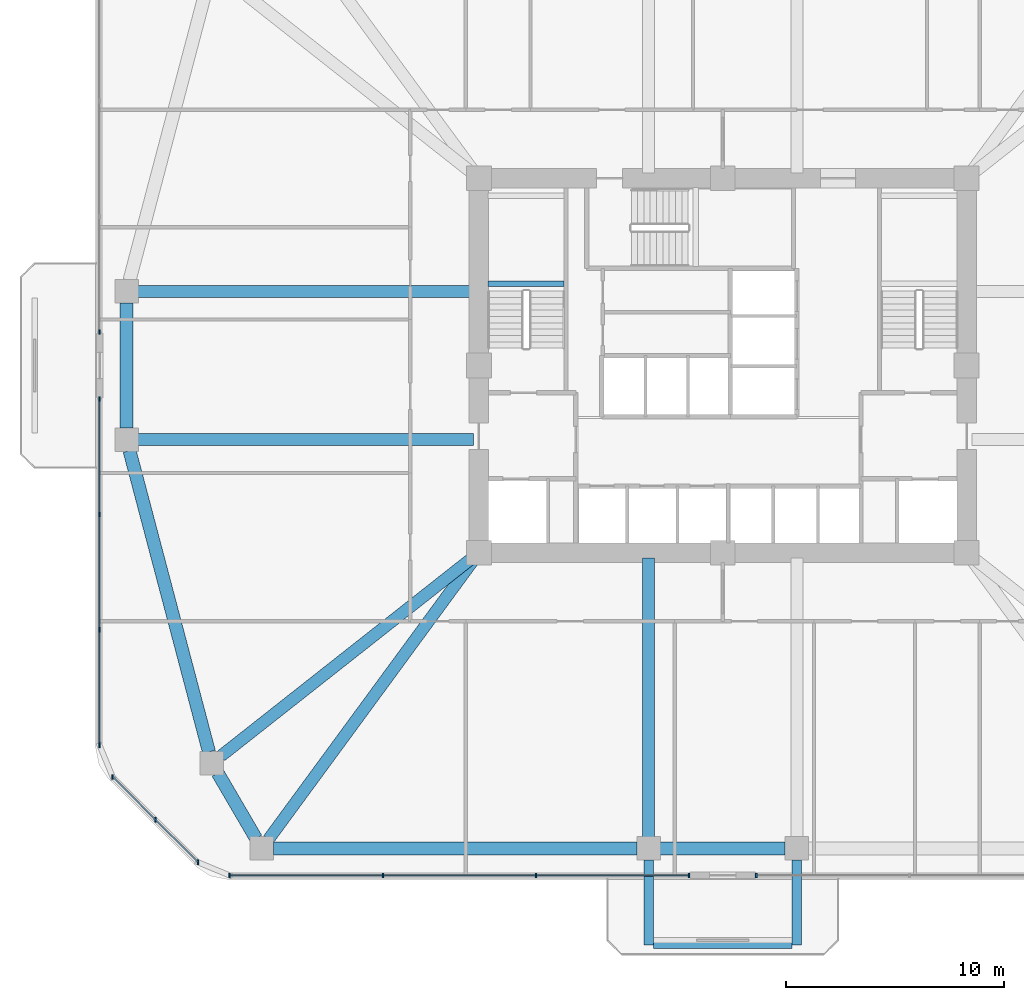
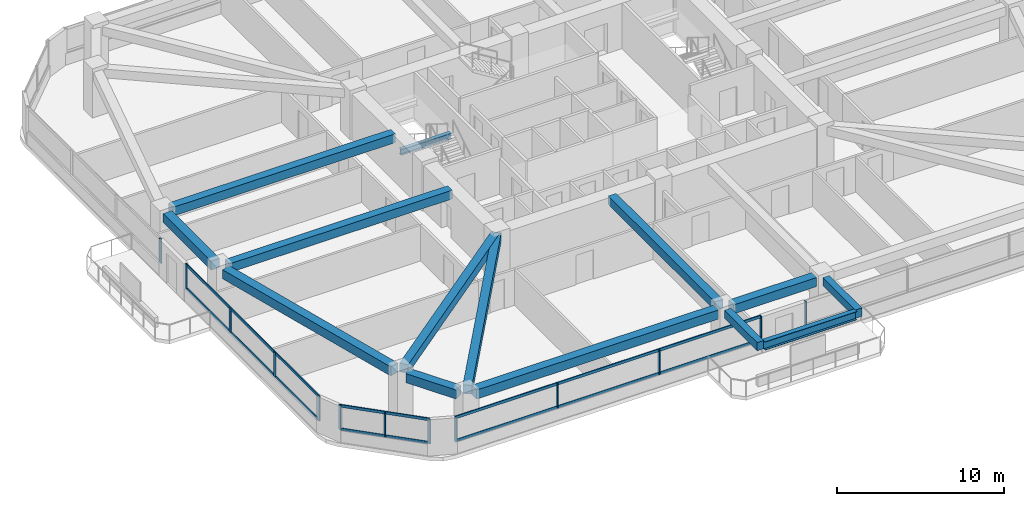
# One storey, part 2 of 14: 19 members, 14 beams, 5 elements without a shape of their own.
"""IFC4 building model written with IfcOpenShell, lengths in metres."""

from ifc_helpers import new_model, si_unit, derived_unit, direction, frame, origin, origin_2d, place, context, subcontext, project, spatial, rectangle, i_section, extrude, material, material_profile, profile_set, type_object, element, aggregate, save


model = new_model("IFC4")

# Units and contexts
model_context = context("Model", 3, precision=1e-05, world=origin(), true_north=direction((0.0, 1.0)))
body_context = subcontext(model_context, "Body", "Model", "MODEL_VIEW")
ifc_project = project(units=[si_unit("LENGTHUNIT", "METRE"), si_unit("AREAUNIT", "SQUARE_METRE"), si_unit("VOLUMEUNIT", "CUBIC_METRE"), si_unit("PLANEANGLEUNIT", "RADIAN"), si_unit("MASSUNIT", "GRAM", prefix="KILO"), derived_unit("THERMALTRANSMITTANCEUNIT", [(si_unit("POWERUNIT", "WATT"), 1), (si_unit("LENGTHUNIT", "METRE"), -2), (si_unit("THERMODYNAMICTEMPERATUREUNIT", "KELVIN"), -1)])], contexts=[model_context])

# Site, building, storey
site_placement = place(None, origin())
site = spatial("IfcSite", under=ifc_project, at=site_placement, CompositionType="ELEMENT")
building_placement = place(site_placement, origin())
building = spatial("IfcBuilding", under=site, at=building_placement, Name="Koralith Skygarden Medical Center", CompositionType="ELEMENT")
storey_placement = place(building_placement, frame((0.0, 0.0, 34.739990234375)))
storey = spatial("IfcBuildingStorey", under=building, at=storey_placement, Name="L08", CompositionType="ELEMENT", Elevation=34.739990234375)

# Curtain wall, members
ifc_material_1 = material(Name="Clear Laminated Glass", Category="glass")
curtain_wall_type = type_object("IfcCurtainWallType", Name="CW-2 Zone 1 Hurricane Unitised Curtain Wall", PredefinedType="NOTDEFINED", material=ifc_material_1)
curtain_wall_1_placement = place(storey_placement, origin())
curtain_wall_1 = element("IfcCurtainWall", 1, at=curtain_wall_1_placement, inside=storey, type_object=curtain_wall_type, Name="Curtain Wall CW-L08-S-L", PredefinedType="NOTDEFINED")
ifc_material_2 = material(Name="Aluminium 6063-T6", Category="aluminium")
ifc_material_profile_1 = material_profile(ifc_material_2, rectangle(XDim=0.071044921875, YDim=0.219970703125, at=origin_2d()), Name="MUL71X220")
ifc_profile_set_1 = profile_set([ifc_material_profile_1], Name="Aluminium 6063-T6")
member_type_1 = type_object("IfcMemberType", Name="CW-2 Extruded Mullion 71x220", PredefinedType="MULLION", material=ifc_profile_set_1)
member_1_placement = place(storey_placement, frame((14.35498046875, 2.47998046875, 0.85009765625), z_axis=(0.0, 0.0, 1.0), x_axis=(1.0, 0.0, 0.0)))
member_1 = element("IfcMember", 2, at=member_1_placement, type_object=member_type_1, Name="CW-L08-S-L Mullion 1", PredefinedType="MULLION", context=body_context, shape_type="SweptSolid", body=[
    extrude(rectangle(XDim=0.071044921875, YDim=0.219970703125, at=origin_2d()), origin(), (0.0, 0.0, 1.0), 1.7998046875),
])
member_2_placement = place(storey_placement, frame((21.389892578125, 2.47998046875, 0.85009765625), z_axis=(0.0, 0.0, 1.0), x_axis=(1.0, 0.0, 0.0)))
member_2 = element("IfcMember", 3, at=member_2_placement, type_object=member_type_1, Name="CW-L08-S-L Mullion 2", PredefinedType="MULLION", context=body_context, shape_type="SweptSolid", body=[
    extrude(rectangle(XDim=0.071044921875, YDim=0.219970703125, at=origin_2d()), origin(), (0.0, 0.0, 1.0), 1.7998046875),
])
member_3_placement = place(storey_placement, frame((28.425048828125, 2.47998046875, 0.85009765625), z_axis=(0.0, 0.0, 1.0), x_axis=(1.0, 0.0, 0.0)))
member_3 = element("IfcMember", 4, at=member_3_placement, type_object=member_type_1, Name="CW-L08-S-L Mullion 3", PredefinedType="MULLION", context=body_context, shape_type="SweptSolid", body=[
    extrude(rectangle(XDim=0.071044921875, YDim=0.219970703125, at=origin_2d()), origin(), (0.0, 0.0, 1.0), 1.7998046875),
])
member_4_placement = place(storey_placement, frame((35.4599609375, 2.47998046875, 0.85009765625), z_axis=(0.0, 0.0, 1.0), x_axis=(1.0, 0.0, 0.0)))
member_4 = element("IfcMember", 5, at=member_4_placement, type_object=member_type_1, Name="CW-L08-S-L Mullion 4", PredefinedType="MULLION", context=body_context, shape_type="SweptSolid", body=[
    extrude(rectangle(XDim=0.071044921875, YDim=0.219970703125, at=origin_2d()), origin(), (0.0, 0.0, 1.0), 1.7998046875),
])

# Curtain wall, member
curtain_wall_2_placement = place(storey_placement, origin())
curtain_wall_2 = element("IfcCurtainWall", 6, at=curtain_wall_2_placement, inside=storey, type_object=curtain_wall_type, Name="Curtain Wall CW-L08-S-R", PredefinedType="NOTDEFINED")
member_5_placement = place(storey_placement, frame((38.5400390625, 2.47998046875, 0.85009765625), z_axis=(0.0, 0.0, 1.0), x_axis=(1.0, 0.0, 0.0)))
member_5 = element("IfcMember", 7, at=member_5_placement, type_object=member_type_1, Name="CW-L08-S-R Mullion 1", PredefinedType="MULLION", context=body_context, shape_type="SweptSolid", body=[
    extrude(rectangle(XDim=0.071044921875, YDim=0.219970703125, at=origin_2d()), origin(), (0.0, 0.0, 1.0), 1.7998046875),
])
aggregate(curtain_wall_2, [member_5])

curtain_wall_3_placement = place(storey_placement, origin())
curtain_wall_3 = element("IfcCurtainWall", 8, at=curtain_wall_3_placement, inside=storey, type_object=curtain_wall_type, Name="Curtain Wall CW-L08-W-L", PredefinedType="NOTDEFINED")
member_6_placement = place(storey_placement, frame((8.3798828125, 27.43994140625, 0.85009765625), z_axis=(0.0, 0.0, 1.0), x_axis=(1.0, 0.0, 0.0)))
member_6 = element("IfcMember", 9, at=member_6_placement, type_object=member_type_1, Name="CW-L08-W-L Mullion 4", PredefinedType="MULLION", context=body_context, shape_type="SweptSolid", body=[
    extrude(rectangle(XDim=0.071044921875, YDim=0.219970703125, at=origin_2d()), origin(), (0.0, 0.0, 1.0), 1.7998046875),
])
aggregate(curtain_wall_3, [member_6])

# Curtain wall, members
curtain_wall_4_placement = place(storey_placement, origin())
curtain_wall_4 = element("IfcCurtainWall", 10, at=curtain_wall_4_placement, inside=storey, type_object=curtain_wall_type, Name="Curtain Wall CW-L08-W-R", PredefinedType="NOTDEFINED")
member_7_placement = place(storey_placement, frame((8.3798828125, 24.360107421875, 0.85009765625), z_axis=(0.0, 0.0, 1.0), x_axis=(1.0, 0.0, 0.0)))
member_7 = element("IfcMember", 11, at=member_7_placement, type_object=member_type_1, Name="CW-L08-W-R Mullion 1", PredefinedType="MULLION", context=body_context, shape_type="SweptSolid", body=[
    extrude(rectangle(XDim=0.071044921875, YDim=0.219970703125, at=origin_2d()), origin(), (0.0, 0.0, 1.0), 1.7998046875),
])
member_8_placement = place(storey_placement, frame((8.3798828125, 19.05810546875, 0.85009765625), z_axis=(0.0, 0.0, 1.0), x_axis=(1.0, 0.0, 0.0)))
member_8 = element("IfcMember", 12, at=member_8_placement, type_object=member_type_1, Name="CW-L08-W-R Mullion 2", PredefinedType="MULLION", context=body_context, shape_type="SweptSolid", body=[
    extrude(rectangle(XDim=0.071044921875, YDim=0.219970703125, at=origin_2d()), origin(), (0.0, 0.0, 1.0), 1.7998046875),
])
member_9_placement = place(storey_placement, frame((8.3798828125, 13.757080078125, 0.85009765625), z_axis=(0.0, 0.0, 1.0), x_axis=(1.0, 0.0, 0.0)))
member_9 = element("IfcMember", 13, at=member_9_placement, type_object=member_type_1, Name="CW-L08-W-R Mullion 3", PredefinedType="MULLION", context=body_context, shape_type="SweptSolid", body=[
    extrude(rectangle(XDim=0.071044921875, YDim=0.219970703125, at=origin_2d()), origin(), (0.0, 0.0, 1.0), 1.7998046875),
])
member_10_placement = place(storey_placement, frame((8.3798828125, 8.455078125, 0.85009765625), z_axis=(0.0, 0.0, 1.0), x_axis=(1.0, 0.0, 0.0)))
member_10 = element("IfcMember", 14, at=member_10_placement, type_object=member_type_1, Name="CW-L08-W-R Mullion 4", PredefinedType="MULLION", context=body_context, shape_type="SweptSolid", body=[
    extrude(rectangle(XDim=0.071044921875, YDim=0.219970703125, at=origin_2d()), origin(), (0.0, 0.0, 1.0), 1.7998046875),
])

curtain_wall_5_placement = place(storey_placement, origin())
curtain_wall_5 = element("IfcCurtainWall", 15, at=curtain_wall_5_placement, inside=storey, type_object=curtain_wall_type, Name="Curtain Wall CW-L08-SW", PredefinedType="NOTDEFINED")
member_11_placement = place(storey_placement, frame((8.98095703125, 7.00390625, 0.85009765625), z_axis=(0.0, 0.0, 1.0), x_axis=(1.0, 0.0, 0.0)))
member_11 = element("IfcMember", 16, at=member_11_placement, type_object=member_type_1, Name="CW-L08-SW Mullion 1", PredefinedType="MULLION", context=body_context, shape_type="SweptSolid", body=[
    extrude(rectangle(XDim=0.071044921875, YDim=0.219970703125, at=origin_2d()), origin(), (0.0, 0.0, 1.0), 1.7998046875),
])
member_12_placement = place(storey_placement, frame((10.94189453125, 5.04296875, 0.85009765625), z_axis=(0.0, 0.0, 1.0), x_axis=(1.0, 0.0, 0.0)))
member_12 = element("IfcMember", 17, at=member_12_placement, type_object=member_type_1, Name="CW-L08-SW Mullion 2", PredefinedType="MULLION", context=body_context, shape_type="SweptSolid", body=[
    extrude(rectangle(XDim=0.071044921875, YDim=0.219970703125, at=origin_2d()), origin(), (0.0, 0.0, 1.0), 1.7998046875),
])
member_13_placement = place(storey_placement, frame((12.904052734375, 3.0810546875, 0.85009765625), z_axis=(0.0, 0.0, 1.0), x_axis=(1.0, 0.0, 0.0)))
member_13 = element("IfcMember", 18, at=member_13_placement, type_object=member_type_1, Name="CW-L08-SW Mullion 3", PredefinedType="MULLION", context=body_context, shape_type="SweptSolid", body=[
    extrude(rectangle(XDim=0.071044921875, YDim=0.219970703125, at=origin_2d()), origin(), (0.0, 0.0, 1.0), 1.7998046875),
])

# Member
ifc_material_profile_2 = material_profile(ifc_material_2, rectangle(XDim=0.06591796875, YDim=0.197998046875, at=origin_2d()), Name="TRN66X198")
ifc_profile_set_2 = profile_set([ifc_material_profile_2], Name="Aluminium 6063-T6")
member_type_2 = type_object("IfcMemberType", Name="CW-2 Thermal Transom 66x198", PredefinedType="USERDEFINED", material=ifc_profile_set_2)
member_14_placement = place(storey_placement, frame((14.35498046875, 2.47998046875, 0.89990234375), z_axis=(1.0, 0.0, 0.0), x_axis=(0.0, 1.0, 0.0)))
member_14 = element("IfcMember", 19, at=member_14_placement, type_object=member_type_2, Name="CW-L08-S-L Transom 1", ObjectType="TRANSOM", PredefinedType="USERDEFINED", context=body_context, shape_type="SweptSolid", body=[
    extrude(rectangle(XDim=0.06591796875, YDim=0.197998046875, at=origin_2d()), origin(), (0.0, 0.0, 1.0), 21.10498046875),
])

member_15_placement = place(storey_placement, frame((14.35498046875, 2.47998046875, 2.60009765625), z_axis=(1.0, 0.0, 0.0), x_axis=(0.0, 1.0, 0.0)))
member_15 = element("IfcMember", 20, at=member_15_placement, type_object=member_type_2, Name="CW-L08-S-L Transom 2", ObjectType="TRANSOM", PredefinedType="USERDEFINED", context=body_context, shape_type="SweptSolid", body=[
    extrude(rectangle(XDim=0.06591796875, YDim=0.197998046875, at=origin_2d()), origin(), (0.0, 0.0, 1.0), 21.10498046875),
])

aggregate(curtain_wall_1, [member_1, member_2, member_3, member_4, member_14, member_15])

member_16_placement = place(storey_placement, frame((8.3798828125, 24.360107421875, 0.89990234375), z_axis=(0.0, -1.0, 0.0), x_axis=(1.0, 0.0, 0.0)))
member_16 = element("IfcMember", 21, at=member_16_placement, type_object=member_type_2, Name="CW-L08-W-R Transom 1", ObjectType="TRANSOM", PredefinedType="USERDEFINED", context=body_context, shape_type="SweptSolid", body=[
    extrude(rectangle(XDim=0.06591796875, YDim=0.197998046875, at=origin_2d()), origin(), (0.0, 0.0, 1.0), 15.905029296875),
])

member_17_placement = place(storey_placement, frame((8.3798828125, 24.360107421875, 2.60009765625), z_axis=(0.0, -1.0, 0.0), x_axis=(1.0, 0.0, 0.0)))
member_17 = element("IfcMember", 22, at=member_17_placement, type_object=member_type_2, Name="CW-L08-W-R Transom 2", ObjectType="TRANSOM", PredefinedType="USERDEFINED", context=body_context, shape_type="SweptSolid", body=[
    extrude(rectangle(XDim=0.06591796875, YDim=0.197998046875, at=origin_2d()), origin(), (0.0, 0.0, 1.0), 15.905029296875),
])

aggregate(curtain_wall_4, [member_7, member_8, member_9, member_10, member_16, member_17])

member_18_placement = place(storey_placement, frame((8.98095703125, 7.00390625, 0.89990234375), z_axis=(0.707128783731, -0.707084777957, 0.0), x_axis=(0.707084777957, 0.707128783731, 0.0)))
member_18 = element("IfcMember", 23, at=member_18_placement, type_object=member_type_2, Name="CW-L08-SW Transom 1", ObjectType="TRANSOM", PredefinedType="USERDEFINED", context=body_context, shape_type="SweptSolid", body=[
    extrude(rectangle(XDim=0.06591796875, YDim=0.197998046875, at=origin_2d()), origin(), (0.0, 0.0, 1.0), 5.5478515625),
])

member_19_placement = place(storey_placement, frame((8.98095703125, 7.00390625, 2.60009765625), z_axis=(0.707128783731, -0.707084777957, 0.0), x_axis=(0.707084777957, 0.707128783731, 0.0)))
member_19 = element("IfcMember", 24, at=member_19_placement, type_object=member_type_2, Name="CW-L08-SW Transom 2", ObjectType="TRANSOM", PredefinedType="USERDEFINED", context=body_context, shape_type="SweptSolid", body=[
    extrude(rectangle(XDim=0.06591796875, YDim=0.197998046875, at=origin_2d()), origin(), (0.0, 0.0, 1.0), 5.5478515625),
])

aggregate(curtain_wall_5, [member_11, member_12, member_13, member_18, member_19])

# Beams
ifc_material_3 = material(Name="Steel ASTM A992 Grade 50", Category="steel")
ifc_material_profile_3 = material_profile(ifc_material_3, i_section(OverallWidth=0.326904296875, OverallDepth=0.6220703125, WebThickness=0.015380859375, FlangeThickness=0.0244140625, at=origin_2d()), Name="W24X131")
ifc_profile_set_3 = profile_set([ifc_material_profile_3], Name="Steel ASTM A992 Grade 50")
beam_type_1 = type_object("IfcBeamType", Name="Cantilever Tie Beam W24X131", PredefinedType="BEAM", material=ifc_profile_set_3)
beam_1_placement = place(storey_placement, frame((33.820068359375, -0.719970703125, 3.029052734375), z_axis=(1.0, 0.0, 0.0), x_axis=(0.0, 1.0, 0.0)))
element("IfcBeam", 25, at=beam_1_placement, inside=storey, type_object=beam_type_1, Name="L09 S Balcony Tip Tie Beam", PredefinedType="BEAM", context=body_context, shape_type="SweptSolid", body=[
    extrude(i_section(OverallWidth=0.326904296875, OverallDepth=0.6220703125, WebThickness=0.015380859375, FlangeThickness=0.0244140625, at=origin_2d()), origin(), (0.0, 0.0, 1.0), 6.35986328125),
])
ifc_material_profile_4 = material_profile(ifc_material_3, i_section(OverallWidth=0.260009765625, OverallDepth=0.4150390625, WebThickness=0.010009765625, FlangeThickness=0.016845703125, at=origin_2d()), Name="W16X67")
ifc_profile_set_4 = profile_set([ifc_material_profile_4], Name="Steel ASTM A992 Grade 50")
beam_type_2 = type_object("IfcBeamType", Name="Clinical Floor Joist W16X67", PredefinedType="JOIST", material=ifc_profile_set_4)
beam_2_placement = place(storey_placement, frame((26.22998046875, 29.659912109375, 1.39208984375), z_axis=(1.0, 0.0, 0.0), x_axis=(0.0, 1.0, 0.0)))
element("IfcBeam", 26, at=beam_2_placement, inside=storey, type_object=beam_type_2, Name="L08 Stair ST1 Half-Landing Support Beam 1A", PredefinedType="JOIST", context=body_context, shape_type="SweptSolid", body=[
    extrude(i_section(OverallWidth=0.260009765625, OverallDepth=0.4150390625, WebThickness=0.010009765625, FlangeThickness=0.016845703125, at=origin_2d()), origin(), (0.0, 0.0, 1.0), 3.489990234375),
])
ifc_material_4 = material(Name="Concrete C45/55", Category="concrete")
ifc_material_profile_5 = material_profile(ifc_material_4, rectangle(XDim=0.449951171875, YDim=0.60009765625, at=origin_2d()), Name="RCB450X600")
ifc_profile_set_5 = profile_set([ifc_material_profile_5], Name="Concrete C45/55")
beam_type_3 = type_object("IfcBeamType", Name="Planted Balcony Cantilever Beam RCB450X600", PredefinedType="BEAM", material=ifc_profile_set_5)
for number, where, z_axis, x_axis, name in (
    (27, (33.60009765625, 3.199951171875, 3.0400390625), (0.0, -1.0, 0.0), (1.0, 0.0, 0.0), "L09 S Balcony Cantilever Beam A"),
    (28, (40.39990234375, 3.199951171875, 3.0400390625), (0.0, -1.0, 0.0), (1.0, 0.0, 0.0), "L09 S Balcony Cantilever Beam B"),
):
    element("IfcBeam", number, at=place(storey_placement, frame(where, z_axis=z_axis, x_axis=x_axis)), inside=storey, type_object=beam_type_3, Name=name, PredefinedType="BEAM", context=body_context, shape_type="SweptSolid", body=[
        extrude(rectangle(XDim=0.449951171875, YDim=0.60009765625, at=origin_2d()), origin(), (0.0, 0.0, 1.0), 3.919921875),
    ])
ifc_material_profile_6 = material_profile(ifc_material_4, rectangle(XDim=0.550048828125, YDim=0.639892578125, at=origin_2d()), Name="RCB550X640")
ifc_profile_set_6 = profile_set([ifc_material_profile_6], Name="Concrete C45/55")
beam_type_4 = type_object("IfcBeamType", Name="Radial Collector Beam RCB550X640", PredefinedType="BEAM", material=ifc_profile_set_6)
beam_3_placement = place(storey_placement, frame((25.550048828125, 22.5, 3.0), z_axis=(-1.0, 0.0, 0.0), x_axis=(0.0, -1.0, 0.0)))
element("IfcBeam", 29, at=beam_3_placement, inside=storey, type_object=beam_type_4, Name="L08 Radial Collector Beam RB-01", PredefinedType="BEAM", context=body_context, shape_type="SweptSolid", body=[
    extrude(rectangle(XDim=0.550048828125, YDim=0.639892578125, at=origin_2d()), origin(), (0.0, 0.0, 1.0), 15.400146484375),
])
beam_4_placement = place(storey_placement, frame((25.60400390625, 17.14501953125, 3.0), z_axis=(-0.785497250365, -0.618865146594, 0.0), x_axis=(0.618865146594, -0.785497250365, 0.0)))
element("IfcBeam", 30, at=beam_4_placement, inside=storey, type_object=beam_type_4, Name="L08 Radial Collector Beam RB-02", PredefinedType="BEAM", context=body_context, shape_type="SweptSolid", body=[
    extrude(rectangle(XDim=0.550048828125, YDim=0.639892578125, at=origin_2d()), origin(), (0.0, 0.0, 1.0), 14.828857421875),
])
beam_5_placement = place(storey_placement, frame((25.652099609375, 17.097900390625, 3.0), z_axis=(-0.591718052249, -0.806144991079, 0.0), x_axis=(0.806144991079, -0.591718052249, 0.0)))
element("IfcBeam", 31, at=beam_5_placement, inside=storey, type_object=beam_type_4, Name="L08 Radial Collector Beam RB-03", PredefinedType="BEAM", context=body_context, shape_type="SweptSolid", body=[
    extrude(rectangle(XDim=0.550048828125, YDim=0.639892578125, at=origin_2d()), origin(), (0.0, 0.0, 1.0), 16.065185546875),
])
beam_6_placement = place(storey_placement, frame((33.60009765625, 17.050048828125, 3.0), z_axis=(0.0, -1.0, 0.0), x_axis=(1.0, 0.0, 0.0)))
element("IfcBeam", 32, at=beam_6_placement, inside=storey, type_object=beam_type_4, Name="L08 Radial Collector Beam RB-04", PredefinedType="BEAM", context=body_context, shape_type="SweptSolid", body=[
    extrude(rectangle(XDim=0.550048828125, YDim=0.639892578125, at=origin_2d()), origin(), (0.0, 0.0, 1.0), 12.800048828125),
])
beam_7_placement = place(storey_placement, frame((25.550048828125, 29.300048828125, 3.0), z_axis=(-1.0, 0.0, 0.0), x_axis=(0.0, -1.0, 0.0)))
element("IfcBeam", 33, at=beam_7_placement, inside=storey, type_object=beam_type_4, Name="L08 Radial Collector Beam RB-16", PredefinedType="BEAM", context=body_context, shape_type="SweptSolid", body=[
    extrude(rectangle(XDim=0.550048828125, YDim=0.639892578125, at=origin_2d()), origin(), (0.0, 0.0, 1.0), 15.400146484375),
])
ifc_material_profile_7 = material_profile(ifc_material_4, rectangle(XDim=0.60009765625, YDim=0.659912109375, at=origin_2d()), Name="RCB600X660")
ifc_profile_set_7 = profile_set([ifc_material_profile_7], Name="Concrete C45/55")
beam_type_5 = type_object("IfcBeamType", Name="Zone 1 Spandrel Beam RCB600X660", PredefinedType="SPANDREL", material=ifc_profile_set_7)
beam_8_placement = place(storey_placement, frame((9.7548828125, 21.988037109375, 2.989990234375), z_axis=(0.255088684842, -0.966917660851, 0.0), x_axis=(0.966917660851, 0.255088684842, 0.0)))
element("IfcBeam", 34, at=beam_8_placement, inside=storey, type_object=beam_type_5, Name="L08 Perimeter Spandrel Beam SP-01", PredefinedType="SPANDREL", context=body_context, shape_type="SweptSolid", body=[
    extrude(rectangle(XDim=0.60009765625, YDim=0.659912109375, at=origin_2d()), origin(), (0.0, 0.0, 1.0), 14.309326171875),
])
beam_9_placement = place(storey_placement, frame((13.80810546875, 7.181884765625, 2.989990234375), z_axis=(0.504638660636, -0.863330656349, 0.0), x_axis=(0.863330656349, 0.504638660636, 0.0)))
element("IfcBeam", 35, at=beam_9_placement, inside=storey, type_object=beam_type_5, Name="L08 Perimeter Spandrel Beam SP-02", PredefinedType="SPANDREL", context=body_context, shape_type="SweptSolid", body=[
    extrude(rectangle(XDim=0.60009765625, YDim=0.659912109375, at=origin_2d()), origin(), (0.0, 0.0, 1.0), 3.4794921875),
])
beam_10_placement = place(storey_placement, frame((16.362060546875, 3.719970703125, 2.989990234375), z_axis=(1.0, 0.0, 0.0), x_axis=(0.0, 1.0, 0.0)))
element("IfcBeam", 36, at=beam_10_placement, inside=storey, type_object=beam_type_5, Name="L08 Perimeter Spandrel Beam SP-03", PredefinedType="SPANDREL", context=body_context, shape_type="SweptSolid", body=[
    extrude(rectangle(XDim=0.60009765625, YDim=0.659912109375, at=origin_2d()), origin(), (0.0, 0.0, 1.0), 16.7080078125),
])
beam_11_placement = place(storey_placement, frame((34.1298828125, 3.719970703125, 2.989990234375), z_axis=(1.0, 0.0, 0.0), x_axis=(0.0, 1.0, 0.0)))
element("IfcBeam", 37, at=beam_11_placement, inside=storey, type_object=beam_type_5, Name="L08 Perimeter Spandrel Beam SP-04", PredefinedType="SPANDREL", context=body_context, shape_type="SweptSolid", body=[
    extrude(rectangle(XDim=0.60009765625, YDim=0.659912109375, at=origin_2d()), origin(), (0.0, 0.0, 1.0), 5.740234375),
])
beam_12_placement = place(storey_placement, frame((9.6201171875, 28.77001953125, 2.989990234375), z_axis=(0.0, -1.0, 0.0), x_axis=(1.0, 0.0, 0.0)))
element("IfcBeam", 38, at=beam_12_placement, inside=storey, type_object=beam_type_5, Name="L08 Perimeter Spandrel Beam SP-16", PredefinedType="SPANDREL", context=body_context, shape_type="SweptSolid", body=[
    extrude(rectangle(XDim=0.60009765625, YDim=0.659912109375, at=origin_2d()), origin(), (0.0, 0.0, 1.0), 5.739990234375),
])

save(model, "model.ifc")
